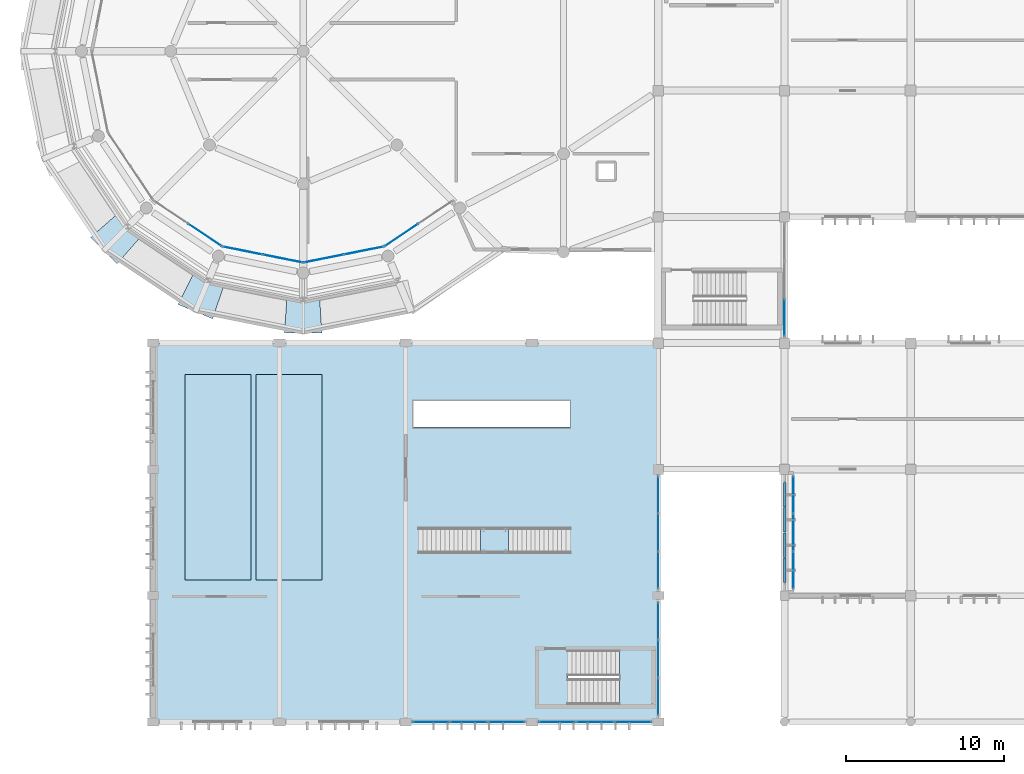
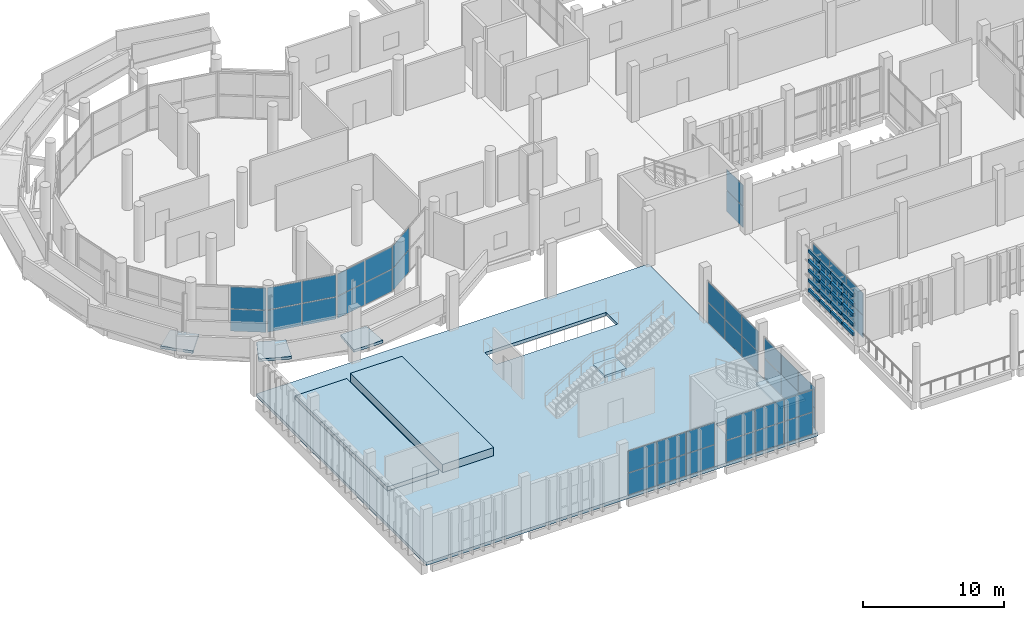
# One storey, part 69 of 106: 64 plates, 8 slabs, 13 elements without a shape of their own.
"""IFC4 building model written with IfcOpenShell, lengths in metres."""

from ifc_helpers import new_model, si_unit, direction, frame, origin, origin_2d, place, context, subcontext, project, spatial, polyline, rectangle, outline, extrude, material, layer, layer_set, type_object, element, aggregate, save


model = new_model("IFC4")

# Units and contexts
model_context = context("Model", 3, precision=1e-05, world=origin(), true_north=direction((0.0, 1.0)))
body_context = subcontext(model_context, "Body", "Model", "MODEL_VIEW")
ifc_project = project(units=[si_unit("LENGTHUNIT", "METRE"), si_unit("AREAUNIT", "SQUARE_METRE"), si_unit("VOLUMEUNIT", "CUBIC_METRE"), si_unit("PLANEANGLEUNIT", "RADIAN"), si_unit("MASSUNIT", "GRAM", prefix="KILO")], contexts=[model_context])

# Site, building, storey
site_placement = place(None, origin())
site = spatial("IfcSite", under=ifc_project, at=site_placement, CompositionType="ELEMENT")
building_placement = place(site_placement, origin())
building = spatial("IfcBuilding", under=site, at=building_placement, Name="Jelvoka-Kovrelna Polytechnic", CompositionType="ELEMENT")
storey_placement = place(building_placement, frame((0.0, 0.0, 4.800048828125)))
storey = spatial("IfcBuildingStorey", under=building, at=storey_placement, Name="L02", CompositionType="ELEMENT", Elevation=4.800048828125)

# Curtain wall, plates
ifc_material_1 = material(Name="Anodised aluminium 6063-T6", Category="aluminium")
ifc_layer_1 = layer(ifc_material_1, 0.159912109375)
ifc_layer_set_1 = layer_set([ifc_layer_1], Name="Anodised aluminium 6063-T6")
curtain_wall_type_1 = type_object("IfcCurtainWallType", Name="CW_Recessed_A", PredefinedType="NOTDEFINED", material=ifc_layer_set_1)
curtain_wall_1_placement = place(storey_placement, origin())
curtain_wall_1 = element("IfcCurtainWall", 1, at=curtain_wall_1_placement, inside=storey, type_object=curtain_wall_type_1, Name="L02 glazed curtain wall 002", PredefinedType="NOTDEFINED")
ifc_material_2 = material(Name="Solar-control double glazing", Category="glass")
ifc_layer_2 = layer(ifc_material_2, 0.028076171875)
ifc_layer_set_2 = layer_set([ifc_layer_2], Name="Solar-control double glazing")
plate_type_1 = type_object("IfcPlateType", Name="Panel_GP-01", PredefinedType="CURTAIN_PANEL", material=ifc_layer_set_2)
plate_1_placement = place(storey_placement, frame((56.56005859375, 9.614990234375, 0.052001953125), z_axis=(0.0, 0.0, 1.0), x_axis=(0.0, 1.0, 0.0)))
plate_1 = element("IfcPlate", 2, at=plate_1_placement, type_object=plate_type_1, Name="CW-01 panel 1.1", PredefinedType="CURTAIN_PANEL", context=body_context, shape_type="SweptSolid", body=[
    extrude(rectangle(XDim=2.326171875, YDim=0.028076171875, at=origin_2d()), origin(), (0.0, 0.0, 1.0), 1.901123046875),
])
plate_2_placement = place(storey_placement, frame((56.56005859375, 9.614990234375, 1.996826171875), z_axis=(0.0, 0.0, 1.0), x_axis=(0.0, 1.0, 0.0)))
plate_2 = element("IfcPlate", 3, at=plate_2_placement, type_object=plate_type_1, Name="CW-01 panel 1.2", PredefinedType="CURTAIN_PANEL", context=body_context, shape_type="SweptSolid", body=[
    extrude(rectangle(XDim=2.326171875, YDim=0.028076171875, at=origin_2d()), origin(), (0.0, 0.0, 1.0), 1.901123046875),
])
plate_3_placement = place(storey_placement, frame((56.56005859375, 12.0, 0.052001953125), z_axis=(0.0, 0.0, 1.0), x_axis=(0.0, 1.0, 0.0)))
plate_3 = element("IfcPlate", 4, at=plate_3_placement, type_object=plate_type_1, Name="CW-01 panel 2.1", PredefinedType="CURTAIN_PANEL", context=body_context, shape_type="SweptSolid", body=[
    extrude(rectangle(XDim=2.356201171875, YDim=0.028076171875, at=origin_2d()), origin(), (0.0, 0.0, 1.0), 1.901123046875),
])
plate_4_placement = place(storey_placement, frame((56.56005859375, 12.0, 1.996826171875), z_axis=(0.0, 0.0, 1.0), x_axis=(0.0, 1.0, 0.0)))
plate_4 = element("IfcPlate", 5, at=plate_4_placement, type_object=plate_type_1, Name="CW-01 panel 2.2", PredefinedType="CURTAIN_PANEL", context=body_context, shape_type="SweptSolid", body=[
    extrude(rectangle(XDim=2.356201171875, YDim=0.028076171875, at=origin_2d()), origin(), (0.0, 0.0, 1.0), 1.901123046875),
])
plate_5_placement = place(storey_placement, frame((56.56005859375, 14.385009765625, 0.052001953125), z_axis=(0.0, 0.0, 1.0), x_axis=(0.0, 1.0, 0.0)))
plate_5 = element("IfcPlate", 6, at=plate_5_placement, type_object=plate_type_1, Name="CW-01 panel 3.1", PredefinedType="CURTAIN_PANEL", context=body_context, shape_type="SweptSolid", body=[
    extrude(rectangle(XDim=2.326171875, YDim=0.028076171875, at=origin_2d()), origin(), (0.0, 0.0, 1.0), 1.901123046875),
])
plate_6_placement = place(storey_placement, frame((56.56005859375, 14.385009765625, 1.996826171875), z_axis=(0.0, 0.0, 1.0), x_axis=(0.0, 1.0, 0.0)))
plate_6 = element("IfcPlate", 7, at=plate_6_placement, type_object=plate_type_1, Name="CW-01 panel 3.2", PredefinedType="CURTAIN_PANEL", context=body_context, shape_type="SweptSolid", body=[
    extrude(rectangle(XDim=2.326171875, YDim=0.028076171875, at=origin_2d()), origin(), (0.0, 0.0, 1.0), 1.901123046875),
])
aggregate(curtain_wall_1, [plate_1, plate_2, plate_3, plate_4, plate_5, plate_6])

ifc_material_3 = material(Name="Anodised aluminium 6063-T6", Category="aluminium")
ifc_layer_3 = layer(ifc_material_3, 0.179931640625)
ifc_layer_set_3 = layer_set([ifc_layer_3], Name="Anodised aluminium 6063-T6")
curtain_wall_type_2 = type_object("IfcCurtainWallType", Name="CW_Pavilion", PredefinedType="NOTDEFINED", material=ifc_layer_set_3)
curtain_wall_2_placement = place(storey_placement, origin())
curtain_wall_2 = element("IfcCurtainWall", 8, at=curtain_wall_2_placement, inside=storey, type_object=curtain_wall_type_2, Name="L02 glazed curtain wall 118", PredefinedType="NOTDEFINED")
ifc_material_4 = material(Name="Solar-control double glazing", Category="glass")
ifc_layer_4 = layer(ifc_material_4, 0.030029296875)
ifc_layer_set_4 = layer_set([ifc_layer_4], Name="Solar-control double glazing")
plate_type_2 = type_object("IfcPlateType", Name="Panel_GP-05", PredefinedType="CURTAIN_PANEL", material=ifc_layer_set_4)
plate_7_placement = place(storey_placement, frame((56.0, 25.6162109375, 0.056884765625), z_axis=(0.0, 0.0, 1.0), x_axis=(0.0, -1.0, 0.0)))
plate_7 = element("IfcPlate", 9, at=plate_7_placement, type_object=plate_type_2, Name="CW-05 panel 3.1", PredefinedType="CURTAIN_PANEL", context=body_context, shape_type="SweptSolid", body=[
    extrude(rectangle(XDim=2.318603515625, YDim=0.030029296875, at=origin_2d()), origin(), (0.0, 0.0, 1.0), 1.798583984375),
])
plate_8_placement = place(storey_placement, frame((56.0, 25.6162109375, 1.904541015625), z_axis=(0.0, 0.0, 1.0), x_axis=(0.0, -1.0, 0.0)))
plate_8 = element("IfcPlate", 10, at=plate_8_placement, type_object=plate_type_2, Name="CW-05 panel 3.2", PredefinedType="CURTAIN_PANEL", context=body_context, shape_type="SweptSolid", body=[
    extrude(rectangle(XDim=2.318603515625, YDim=0.030029296875, at=origin_2d()), origin(), (0.0, 0.0, 1.0), 1.798583984375),
])
aggregate(curtain_wall_2, [plate_7, plate_8])

curtain_wall_3_placement = place(storey_placement, origin())
curtain_wall_3 = element("IfcCurtainWall", 11, at=curtain_wall_3_placement, inside=storey, type_object=curtain_wall_type_2, Name="L02 glazed curtain wall 229", PredefinedType="NOTDEFINED")
plate_9_placement = place(storey_placement, frame((19.271728515625, 30.855224609375, 0.056884765625), z_axis=(0.0, 0.0, 1.0), x_axis=(-0.83146132254, 0.555582639326, 0.0)))
plate_9 = element("IfcPlate", 12, at=plate_9_placement, type_object=plate_type_2, Name="CW-05 panel 1.1", PredefinedType="CURTAIN_PANEL", context=body_context, shape_type="SweptSolid", body=[
    extrude(rectangle(XDim=2.53271484375, YDim=0.030029296875, at=origin_2d()), origin(), (0.0, 0.0, 1.0), 1.8935546875),
])
plate_10_placement = place(storey_placement, frame((19.271728515625, 30.855224609375, 1.99951171875), z_axis=(0.0, 0.0, 1.0), x_axis=(-0.83146132254, 0.555582639326, 0.0)))
plate_10 = element("IfcPlate", 13, at=plate_10_placement, type_object=plate_type_2, Name="CW-05 panel 1.2", PredefinedType="CURTAIN_PANEL", context=body_context, shape_type="SweptSolid", body=[
    extrude(rectangle(XDim=2.53271484375, YDim=0.030029296875, at=origin_2d()), origin(), (0.0, 0.0, 1.0), 1.8935546875),
])
aggregate(curtain_wall_3, [plate_9, plate_10])

curtain_wall_4_placement = place(storey_placement, origin())
curtain_wall_4 = element("IfcCurtainWall", 14, at=curtain_wall_4_placement, inside=storey, type_object=curtain_wall_type_2, Name="L02 glazed curtain wall 230", PredefinedType="NOTDEFINED")
plate_11_placement = place(storey_placement, frame((24.2021484375, 29.358154296875, 0.056884765625), z_axis=(0.0, 0.0, 1.0), x_axis=(-0.980786108197, 0.195086160371, 0.0)))
plate_11 = element("IfcPlate", 15, at=plate_11_placement, type_object=plate_type_2, Name="CW-05 panel 1.1", PredefinedType="CURTAIN_PANEL", context=body_context, shape_type="SweptSolid", body=[
    extrude(rectangle(XDim=2.532958984375, YDim=0.030029296875, at=origin_2d()), origin(), (0.0, 0.0, 1.0), 1.8935546875),
])
plate_12_placement = place(storey_placement, frame((24.2021484375, 29.358154296875, 1.99951171875), z_axis=(0.0, 0.0, 1.0), x_axis=(-0.980786108197, 0.195086160371, 0.0)))
plate_12 = element("IfcPlate", 16, at=plate_12_placement, type_object=plate_type_2, Name="CW-05 panel 1.2", PredefinedType="CURTAIN_PANEL", context=body_context, shape_type="SweptSolid", body=[
    extrude(rectangle(XDim=2.532958984375, YDim=0.030029296875, at=origin_2d()), origin(), (0.0, 0.0, 1.0), 1.8935546875),
])
plate_13_placement = place(storey_placement, frame((21.669921875, 29.86181640625, 0.056884765625), z_axis=(0.0, 0.0, 1.0), x_axis=(-0.980786108197, 0.195086160371, 0.0)))
plate_13 = element("IfcPlate", 17, at=plate_13_placement, type_object=plate_type_2, Name="CW-05 panel 2.1", PredefinedType="CURTAIN_PANEL", context=body_context, shape_type="SweptSolid", body=[
    extrude(rectangle(XDim=2.532958984375, YDim=0.030029296875, at=origin_2d()), origin(), (0.0, 0.0, 1.0), 1.8935546875),
])
plate_14_placement = place(storey_placement, frame((21.669921875, 29.86181640625, 1.99951171875), z_axis=(0.0, 0.0, 1.0), x_axis=(-0.980786108197, 0.195086160371, 0.0)))
plate_14 = element("IfcPlate", 18, at=plate_14_placement, type_object=plate_type_2, Name="CW-05 panel 2.2", PredefinedType="CURTAIN_PANEL", context=body_context, shape_type="SweptSolid", body=[
    extrude(rectangle(XDim=2.532958984375, YDim=0.030029296875, at=origin_2d()), origin(), (0.0, 0.0, 1.0), 1.8935546875),
])
aggregate(curtain_wall_4, [plate_11, plate_12, plate_13, plate_14])

curtain_wall_5_placement = place(storey_placement, origin())
curtain_wall_5 = element("IfcCurtainWall", 19, at=curtain_wall_5_placement, inside=storey, type_object=curtain_wall_type_2, Name="L02 glazed curtain wall 231", PredefinedType="NOTDEFINED")
plate_15_placement = place(storey_placement, frame((29.330078125, 29.86181640625, 0.056884765625), z_axis=(0.0, 0.0, 1.0), x_axis=(-0.980786108197, -0.195086160371, 0.0)))
plate_15 = element("IfcPlate", 20, at=plate_15_placement, type_object=plate_type_2, Name="CW-05 panel 1.1", PredefinedType="CURTAIN_PANEL", context=body_context, shape_type="SweptSolid", body=[
    extrude(rectangle(XDim=2.532958984375, YDim=0.030029296875, at=origin_2d()), origin(), (0.0, 0.0, 1.0), 1.8935546875),
])
plate_16_placement = place(storey_placement, frame((29.330078125, 29.86181640625, 1.99951171875), z_axis=(0.0, 0.0, 1.0), x_axis=(-0.980786108197, -0.195086160371, 0.0)))
plate_16 = element("IfcPlate", 21, at=plate_16_placement, type_object=plate_type_2, Name="CW-05 panel 1.2", PredefinedType="CURTAIN_PANEL", context=body_context, shape_type="SweptSolid", body=[
    extrude(rectangle(XDim=2.532958984375, YDim=0.030029296875, at=origin_2d()), origin(), (0.0, 0.0, 1.0), 1.8935546875),
])
plate_17_placement = place(storey_placement, frame((26.7978515625, 29.358154296875, 0.056884765625), z_axis=(0.0, 0.0, 1.0), x_axis=(-0.980786108197, -0.195086160371, 0.0)))
plate_17 = element("IfcPlate", 22, at=plate_17_placement, type_object=plate_type_2, Name="CW-05 panel 2.1", PredefinedType="CURTAIN_PANEL", context=body_context, shape_type="SweptSolid", body=[
    extrude(rectangle(XDim=2.532958984375, YDim=0.030029296875, at=origin_2d()), origin(), (0.0, 0.0, 1.0), 1.8935546875),
])
plate_18_placement = place(storey_placement, frame((26.7978515625, 29.358154296875, 1.99951171875), z_axis=(0.0, 0.0, 1.0), x_axis=(-0.980786108197, -0.195086160371, 0.0)))
plate_18 = element("IfcPlate", 23, at=plate_18_placement, type_object=plate_type_2, Name="CW-05 panel 2.2", PredefinedType="CURTAIN_PANEL", context=body_context, shape_type="SweptSolid", body=[
    extrude(rectangle(XDim=2.532958984375, YDim=0.030029296875, at=origin_2d()), origin(), (0.0, 0.0, 1.0), 1.8935546875),
])
aggregate(curtain_wall_5, [plate_15, plate_16, plate_17, plate_18])

curtain_wall_6_placement = place(storey_placement, origin())
curtain_wall_6 = element("IfcCurtainWall", 24, at=curtain_wall_6_placement, inside=storey, type_object=curtain_wall_type_2, Name="L02 glazed curtain wall 232", PredefinedType="NOTDEFINED")
plate_19_placement = place(storey_placement, frame((31.728271484375, 30.855224609375, 0.056884765625), z_axis=(0.0, 0.0, 1.0), x_axis=(-0.83146132254, -0.555582639326, 0.0)))
plate_19 = element("IfcPlate", 25, at=plate_19_placement, type_object=plate_type_2, Name="CW-05 panel 2.1", PredefinedType="CURTAIN_PANEL", context=body_context, shape_type="SweptSolid", body=[
    extrude(rectangle(XDim=2.53271484375, YDim=0.030029296875, at=origin_2d()), origin(), (0.0, 0.0, 1.0), 1.8935546875),
])
plate_20_placement = place(storey_placement, frame((31.728271484375, 30.855224609375, 1.99951171875), z_axis=(0.0, 0.0, 1.0), x_axis=(-0.83146132254, -0.555582639326, 0.0)))
plate_20 = element("IfcPlate", 26, at=plate_20_placement, type_object=plate_type_2, Name="CW-05 panel 2.2", PredefinedType="CURTAIN_PANEL", context=body_context, shape_type="SweptSolid", body=[
    extrude(rectangle(XDim=2.53271484375, YDim=0.030029296875, at=origin_2d()), origin(), (0.0, 0.0, 1.0), 1.8935546875),
])
aggregate(curtain_wall_6, [plate_19, plate_20])

curtain_wall_7_placement = place(storey_placement, origin())
curtain_wall_7 = element("IfcCurtainWall", 27, at=curtain_wall_7_placement, inside=storey, type_object=curtain_wall_type_2, Name="L02 glazed curtain wall 275", PredefinedType="NOTDEFINED")
plate_21_placement = place(storey_placement, frame((38.3837890625, 0.0, 0.056884765625), z_axis=(0.0, 0.0, 1.0), x_axis=(-1.0, 0.0, 0.0)))
plate_21 = element("IfcPlate", 28, at=plate_21_placement, type_object=plate_type_2, Name="CW-05 panel 1.1", PredefinedType="CURTAIN_PANEL", context=body_context, shape_type="SweptSolid", body=[
    extrude(rectangle(XDim=2.318603515625, YDim=0.030029296875, at=origin_2d()), origin(), (0.0, 0.0, 1.0), 1.863525390625),
])
plate_22_placement = place(storey_placement, frame((38.3837890625, 0.0, 1.969482421875), z_axis=(0.0, 0.0, 1.0), x_axis=(-1.0, 0.0, 0.0)))
plate_22 = element("IfcPlate", 29, at=plate_22_placement, type_object=plate_type_2, Name="CW-05 panel 1.2", PredefinedType="CURTAIN_PANEL", context=body_context, shape_type="SweptSolid", body=[
    extrude(rectangle(XDim=2.318603515625, YDim=0.030029296875, at=origin_2d()), origin(), (0.0, 0.0, 1.0), 1.863525390625),
])
plate_23_placement = place(storey_placement, frame((36.0, 0.0, 0.056884765625), z_axis=(0.0, 0.0, 1.0), x_axis=(-1.0, 0.0, 0.0)))
plate_23 = element("IfcPlate", 30, at=plate_23_placement, type_object=plate_type_2, Name="CW-05 panel 2.1", PredefinedType="CURTAIN_PANEL", context=body_context, shape_type="SweptSolid", body=[
    extrude(rectangle(XDim=2.35107421875, YDim=0.030029296875, at=origin_2d()), origin(), (0.0, 0.0, 1.0), 1.863525390625),
])
plate_24_placement = place(storey_placement, frame((36.0, 0.0, 1.969482421875), z_axis=(0.0, 0.0, 1.0), x_axis=(-1.0, 0.0, 0.0)))
plate_24 = element("IfcPlate", 31, at=plate_24_placement, type_object=plate_type_2, Name="CW-05 panel 2.2", PredefinedType="CURTAIN_PANEL", context=body_context, shape_type="SweptSolid", body=[
    extrude(rectangle(XDim=2.35107421875, YDim=0.030029296875, at=origin_2d()), origin(), (0.0, 0.0, 1.0), 1.863525390625),
])
plate_25_placement = place(storey_placement, frame((33.6162109375, 0.0, 0.056884765625), z_axis=(0.0, 0.0, 1.0), x_axis=(-1.0, 0.0, 0.0)))
plate_25 = element("IfcPlate", 32, at=plate_25_placement, type_object=plate_type_2, Name="CW-05 panel 3.1", PredefinedType="CURTAIN_PANEL", context=body_context, shape_type="SweptSolid", body=[
    extrude(rectangle(XDim=2.318603515625, YDim=0.030029296875, at=origin_2d()), origin(), (0.0, 0.0, 1.0), 1.863525390625),
])
plate_26_placement = place(storey_placement, frame((33.6162109375, 0.0, 1.969482421875), z_axis=(0.0, 0.0, 1.0), x_axis=(-1.0, 0.0, 0.0)))
plate_26 = element("IfcPlate", 33, at=plate_26_placement, type_object=plate_type_2, Name="CW-05 panel 3.2", PredefinedType="CURTAIN_PANEL", context=body_context, shape_type="SweptSolid", body=[
    extrude(rectangle(XDim=2.318603515625, YDim=0.030029296875, at=origin_2d()), origin(), (0.0, 0.0, 1.0), 1.863525390625),
])
aggregate(curtain_wall_7, [plate_21, plate_22, plate_23, plate_24, plate_25, plate_26])

curtain_wall_8_placement = place(storey_placement, origin())
curtain_wall_8 = element("IfcCurtainWall", 34, at=curtain_wall_8_placement, inside=storey, type_object=curtain_wall_type_2, Name="L02 glazed curtain wall 276", PredefinedType="NOTDEFINED")
plate_27_placement = place(storey_placement, frame((46.3837890625, 0.0, 0.056884765625), z_axis=(0.0, 0.0, 1.0), x_axis=(-1.0, 0.0, 0.0)))
plate_27 = element("IfcPlate", 35, at=plate_27_placement, type_object=plate_type_2, Name="CW-05 panel 1.1", PredefinedType="CURTAIN_PANEL", context=body_context, shape_type="SweptSolid", body=[
    extrude(rectangle(XDim=2.318603515625, YDim=0.030029296875, at=origin_2d()), origin(), (0.0, 0.0, 1.0), 1.863525390625),
])
plate_28_placement = place(storey_placement, frame((46.3837890625, 0.0, 1.969482421875), z_axis=(0.0, 0.0, 1.0), x_axis=(-1.0, 0.0, 0.0)))
plate_28 = element("IfcPlate", 36, at=plate_28_placement, type_object=plate_type_2, Name="CW-05 panel 1.2", PredefinedType="CURTAIN_PANEL", context=body_context, shape_type="SweptSolid", body=[
    extrude(rectangle(XDim=2.318603515625, YDim=0.030029296875, at=origin_2d()), origin(), (0.0, 0.0, 1.0), 1.863525390625),
])
plate_29_placement = place(storey_placement, frame((44.0, 0.0, 0.056884765625), z_axis=(0.0, 0.0, 1.0), x_axis=(-1.0, 0.0, 0.0)))
plate_29 = element("IfcPlate", 37, at=plate_29_placement, type_object=plate_type_2, Name="CW-05 panel 2.1", PredefinedType="CURTAIN_PANEL", context=body_context, shape_type="SweptSolid", body=[
    extrude(rectangle(XDim=2.35107421875, YDim=0.030029296875, at=origin_2d()), origin(), (0.0, 0.0, 1.0), 1.863525390625),
])
plate_30_placement = place(storey_placement, frame((44.0, 0.0, 1.969482421875), z_axis=(0.0, 0.0, 1.0), x_axis=(-1.0, 0.0, 0.0)))
plate_30 = element("IfcPlate", 38, at=plate_30_placement, type_object=plate_type_2, Name="CW-05 panel 2.2", PredefinedType="CURTAIN_PANEL", context=body_context, shape_type="SweptSolid", body=[
    extrude(rectangle(XDim=2.35107421875, YDim=0.030029296875, at=origin_2d()), origin(), (0.0, 0.0, 1.0), 1.863525390625),
])
plate_31_placement = place(storey_placement, frame((41.6162109375, 0.0, 0.056884765625), z_axis=(0.0, 0.0, 1.0), x_axis=(-1.0, 0.0, 0.0)))
plate_31 = element("IfcPlate", 39, at=plate_31_placement, type_object=plate_type_2, Name="CW-05 panel 3.1", PredefinedType="CURTAIN_PANEL", context=body_context, shape_type="SweptSolid", body=[
    extrude(rectangle(XDim=2.318603515625, YDim=0.030029296875, at=origin_2d()), origin(), (0.0, 0.0, 1.0), 1.863525390625),
])
plate_32_placement = place(storey_placement, frame((41.6162109375, 0.0, 1.969482421875), z_axis=(0.0, 0.0, 1.0), x_axis=(-1.0, 0.0, 0.0)))
plate_32 = element("IfcPlate", 40, at=plate_32_placement, type_object=plate_type_2, Name="CW-05 panel 3.2", PredefinedType="CURTAIN_PANEL", context=body_context, shape_type="SweptSolid", body=[
    extrude(rectangle(XDim=2.318603515625, YDim=0.030029296875, at=origin_2d()), origin(), (0.0, 0.0, 1.0), 1.863525390625),
])
aggregate(curtain_wall_8, [plate_27, plate_28, plate_29, plate_30, plate_31, plate_32])

curtain_wall_9_placement = place(storey_placement, origin())
curtain_wall_9 = element("IfcCurtainWall", 41, at=curtain_wall_9_placement, inside=storey, type_object=curtain_wall_type_2, Name="L02 glazed curtain wall 277", PredefinedType="NOTDEFINED")
plate_33_placement = place(storey_placement, frame((48.0, 6.3837890625, 0.056884765625), z_axis=(0.0, 0.0, 1.0), x_axis=(0.0, -1.0, 0.0)))
plate_33 = element("IfcPlate", 42, at=plate_33_placement, type_object=plate_type_2, Name="CW-05 panel 1.1", PredefinedType="CURTAIN_PANEL", context=body_context, shape_type="SweptSolid", body=[
    extrude(rectangle(XDim=2.318603515625, YDim=0.030029296875, at=origin_2d()), origin(), (0.0, 0.0, 1.0), 1.74609375),
])
plate_34_placement = place(storey_placement, frame((48.0, 6.3837890625, 1.851806640625), z_axis=(0.0, 0.0, 1.0), x_axis=(0.0, -1.0, 0.0)))
plate_34 = element("IfcPlate", 43, at=plate_34_placement, type_object=plate_type_2, Name="CW-05 panel 1.2", PredefinedType="CURTAIN_PANEL", context=body_context, shape_type="SweptSolid", body=[
    extrude(rectangle(XDim=2.318603515625, YDim=0.030029296875, at=origin_2d()), origin(), (0.0, 0.0, 1.0), 1.74609375),
])
plate_35_placement = place(storey_placement, frame((48.0, 4.0, 0.056884765625), z_axis=(0.0, 0.0, 1.0), x_axis=(0.0, -1.0, 0.0)))
plate_35 = element("IfcPlate", 44, at=plate_35_placement, type_object=plate_type_2, Name="CW-05 panel 2.1", PredefinedType="CURTAIN_PANEL", context=body_context, shape_type="SweptSolid", body=[
    extrude(rectangle(XDim=2.35107421875, YDim=0.030029296875, at=origin_2d()), origin(), (0.0, 0.0, 1.0), 1.74609375),
])
plate_36_placement = place(storey_placement, frame((48.0, 4.0, 1.851806640625), z_axis=(0.0, 0.0, 1.0), x_axis=(0.0, -1.0, 0.0)))
plate_36 = element("IfcPlate", 45, at=plate_36_placement, type_object=plate_type_2, Name="CW-05 panel 2.2", PredefinedType="CURTAIN_PANEL", context=body_context, shape_type="SweptSolid", body=[
    extrude(rectangle(XDim=2.35107421875, YDim=0.030029296875, at=origin_2d()), origin(), (0.0, 0.0, 1.0), 1.74609375),
])
plate_37_placement = place(storey_placement, frame((48.0, 1.6162109375, 0.056884765625), z_axis=(0.0, 0.0, 1.0), x_axis=(0.0, -1.0, 0.0)))
plate_37 = element("IfcPlate", 46, at=plate_37_placement, type_object=plate_type_2, Name="CW-05 panel 3.1", PredefinedType="CURTAIN_PANEL", context=body_context, shape_type="SweptSolid", body=[
    extrude(rectangle(XDim=2.318603515625, YDim=0.030029296875, at=origin_2d()), origin(), (0.0, 0.0, 1.0), 1.74609375),
])
plate_38_placement = place(storey_placement, frame((48.0, 1.6162109375, 1.851806640625), z_axis=(0.0, 0.0, 1.0), x_axis=(0.0, -1.0, 0.0)))
plate_38 = element("IfcPlate", 47, at=plate_38_placement, type_object=plate_type_2, Name="CW-05 panel 3.2", PredefinedType="CURTAIN_PANEL", context=body_context, shape_type="SweptSolid", body=[
    extrude(rectangle(XDim=2.318603515625, YDim=0.030029296875, at=origin_2d()), origin(), (0.0, 0.0, 1.0), 1.74609375),
])
aggregate(curtain_wall_9, [plate_33, plate_34, plate_35, plate_36, plate_37, plate_38])

curtain_wall_10_placement = place(storey_placement, origin())
curtain_wall_10 = element("IfcCurtainWall", 48, at=curtain_wall_10_placement, inside=storey, type_object=curtain_wall_type_2, Name="L02 glazed curtain wall 278", PredefinedType="NOTDEFINED")
plate_39_placement = place(storey_placement, frame((48.0, 14.3837890625, 0.056884765625), z_axis=(0.0, 0.0, 1.0), x_axis=(0.0, -1.0, 0.0)))
plate_39 = element("IfcPlate", 49, at=plate_39_placement, type_object=plate_type_2, Name="CW-05 panel 1.1", PredefinedType="CURTAIN_PANEL", context=body_context, shape_type="SweptSolid", body=[
    extrude(rectangle(XDim=2.318603515625, YDim=0.030029296875, at=origin_2d()), origin(), (0.0, 0.0, 1.0), 1.74609375),
])
plate_40_placement = place(storey_placement, frame((48.0, 14.3837890625, 1.851806640625), z_axis=(0.0, 0.0, 1.0), x_axis=(0.0, -1.0, 0.0)))
plate_40 = element("IfcPlate", 50, at=plate_40_placement, type_object=plate_type_2, Name="CW-05 panel 1.2", PredefinedType="CURTAIN_PANEL", context=body_context, shape_type="SweptSolid", body=[
    extrude(rectangle(XDim=2.318603515625, YDim=0.030029296875, at=origin_2d()), origin(), (0.0, 0.0, 1.0), 1.74609375),
])
plate_41_placement = place(storey_placement, frame((48.0, 12.0, 0.056884765625), z_axis=(0.0, 0.0, 1.0), x_axis=(0.0, -1.0, 0.0)))
plate_41 = element("IfcPlate", 51, at=plate_41_placement, type_object=plate_type_2, Name="CW-05 panel 2.1", PredefinedType="CURTAIN_PANEL", context=body_context, shape_type="SweptSolid", body=[
    extrude(rectangle(XDim=2.35107421875, YDim=0.030029296875, at=origin_2d()), origin(), (0.0, 0.0, 1.0), 1.74609375),
])
plate_42_placement = place(storey_placement, frame((48.0, 12.0, 1.851806640625), z_axis=(0.0, 0.0, 1.0), x_axis=(0.0, -1.0, 0.0)))
plate_42 = element("IfcPlate", 52, at=plate_42_placement, type_object=plate_type_2, Name="CW-05 panel 2.2", PredefinedType="CURTAIN_PANEL", context=body_context, shape_type="SweptSolid", body=[
    extrude(rectangle(XDim=2.35107421875, YDim=0.030029296875, at=origin_2d()), origin(), (0.0, 0.0, 1.0), 1.74609375),
])
plate_43_placement = place(storey_placement, frame((48.0, 9.6162109375, 0.056884765625), z_axis=(0.0, 0.0, 1.0), x_axis=(0.0, -1.0, 0.0)))
plate_43 = element("IfcPlate", 53, at=plate_43_placement, type_object=plate_type_2, Name="CW-05 panel 3.1", PredefinedType="CURTAIN_PANEL", context=body_context, shape_type="SweptSolid", body=[
    extrude(rectangle(XDim=2.318603515625, YDim=0.030029296875, at=origin_2d()), origin(), (0.0, 0.0, 1.0), 1.74609375),
])
plate_44_placement = place(storey_placement, frame((48.0, 9.6162109375, 1.851806640625), z_axis=(0.0, 0.0, 1.0), x_axis=(0.0, -1.0, 0.0)))
plate_44 = element("IfcPlate", 54, at=plate_44_placement, type_object=plate_type_2, Name="CW-05 panel 3.2", PredefinedType="CURTAIN_PANEL", context=body_context, shape_type="SweptSolid", body=[
    extrude(rectangle(XDim=2.318603515625, YDim=0.030029296875, at=origin_2d()), origin(), (0.0, 0.0, 1.0), 1.74609375),
])
aggregate(curtain_wall_10, [plate_39, plate_40, plate_41, plate_42, plate_43, plate_44])

# Plates
ifc_material_5 = material(Name="Perforated fired terracotta block", Category="masonry")
ifc_layer_5 = layer(ifc_material_5, 0.169921875)
ifc_layer_set_5 = layer_set([ifc_layer_5], Name="Perforated fired terracotta block")
plate_type_3 = type_object("IfcPlateType", Name="Screen_Terracotta_TP04", PredefinedType="USERDEFINED", material=ifc_layer_set_5)
for number, where, z_axis, x_axis, name in (
    (55, (56.02001953125, 9.60009765625, 0.18994140625), (0.0, 0.0, 1.0), (0.0, 1.0, 0.0), "L02 perforated terracotta lattice band 0021"),
    (56, (56.02001953125, 9.60009765625, 1.0322265625), (0.0, 0.0, 1.0), (0.0, 1.0, 0.0), "L02 perforated terracotta lattice band 0022"),
    (57, (56.02001953125, 9.60009765625, 1.875), (0.0, 0.0, 1.0), (0.0, 1.0, 0.0), "L02 perforated terracotta lattice band 0023"),
    (58, (56.02001953125, 9.60009765625, 2.71728515625), (0.0, 0.0, 1.0), (0.0, 1.0, 0.0), "L02 perforated terracotta lattice band 0024"),
    (59, (56.02001953125, 9.60009765625, 3.56005859375), (0.0, 0.0, 1.0), (0.0, 1.0, 0.0), "L02 perforated terracotta lattice band 0025"),
    (60, (56.02001953125, 11.199951171875, 0.18994140625), (0.0, 0.0, 1.0), (0.0, 1.0, 0.0), "L02 perforated terracotta lattice band 0026"),
    (61, (56.02001953125, 11.199951171875, 1.0322265625), (0.0, 0.0, 1.0), (0.0, 1.0, 0.0), "L02 perforated terracotta lattice band 0027"),
    (62, (56.02001953125, 11.199951171875, 1.875), (0.0, 0.0, 1.0), (0.0, 1.0, 0.0), "L02 perforated terracotta lattice band 0028"),
    (63, (56.02001953125, 11.199951171875, 2.71728515625), (0.0, 0.0, 1.0), (0.0, 1.0, 0.0), "L02 perforated terracotta lattice band 0029"),
    (64, (56.02001953125, 11.199951171875, 3.56005859375), (0.0, 0.0, 1.0), (0.0, 1.0, 0.0), "L02 perforated terracotta lattice band 0030"),
    (65, (56.02001953125, 12.800048828125, 0.18994140625), (0.0, 0.0, 1.0), (0.0, 1.0, 0.0), "L02 perforated terracotta lattice band 0031"),
    (66, (56.02001953125, 12.800048828125, 1.0322265625), (0.0, 0.0, 1.0), (0.0, 1.0, 0.0), "L02 perforated terracotta lattice band 0032"),
    (67, (56.02001953125, 12.800048828125, 1.875), (0.0, 0.0, 1.0), (0.0, 1.0, 0.0), "L02 perforated terracotta lattice band 0033"),
    (68, (56.02001953125, 12.800048828125, 2.71728515625), (0.0, 0.0, 1.0), (0.0, 1.0, 0.0), "L02 perforated terracotta lattice band 0034"),
    (69, (56.02001953125, 12.800048828125, 3.56005859375), (0.0, 0.0, 1.0), (0.0, 1.0, 0.0), "L02 perforated terracotta lattice band 0035"),
    (70, (56.02001953125, 14.39990234375, 0.18994140625), (0.0, 0.0, 1.0), (0.0, 1.0, 0.0), "L02 perforated terracotta lattice band 0036"),
    (71, (56.02001953125, 14.39990234375, 1.0322265625), (0.0, 0.0, 1.0), (0.0, 1.0, 0.0), "L02 perforated terracotta lattice band 0037"),
    (72, (56.02001953125, 14.39990234375, 1.875), (0.0, 0.0, 1.0), (0.0, 1.0, 0.0), "L02 perforated terracotta lattice band 0038"),
    (73, (56.02001953125, 14.39990234375, 2.71728515625), (0.0, 0.0, 1.0), (0.0, 1.0, 0.0), "L02 perforated terracotta lattice band 0039"),
    (74, (56.02001953125, 14.39990234375, 3.56005859375), (0.0, 0.0, 1.0), (0.0, 1.0, 0.0), "L02 perforated terracotta lattice band 0040"),
):
    element("IfcPlate", number, at=place(storey_placement, frame(where, z_axis=z_axis, x_axis=x_axis)), inside=storey, type_object=plate_type_3, Name=name, ObjectType="SCREEN PANEL", PredefinedType="USERDEFINED", context=body_context, shape_type="SweptSolid", body=[
        extrude(rectangle(XDim=1.56005859375, YDim=0.169921875, at=origin_2d()), origin(), (0.0, 0.0, 1.0), 0.260009765625),
    ])

# Slab
ifc_material_6 = material(Name="Concrete C35/45", Category="concrete")
ifc_layer_6 = layer(ifc_material_6, 0.280029296875)
ifc_layer_set_6 = layer_set([ifc_layer_6], Name="Concrete C35/45")
slab_type_1 = type_object("IfcSlabType", Name="Slab_Floor_280", PredefinedType="FLOOR", material=ifc_layer_set_6)
slab_1_placement = place(storey_placement, frame((0.0, 0.0, -0.280029296875)))
element("IfcSlab", 75, at=slab_1_placement, inside=storey, type_object=slab_type_1, Name="L02 V4 structural slab", PredefinedType="FLOOR", context=body_context, shape_type="SweptSolid", body=[
    extrude(outline(polyline([(16.0, 0.0), (48.0, 0.0), (48.0, 24.0), (16.0, 24.0), (16.0, 0.0)]), holes=[polyline([(42.264892578125, 1.10009765625), (47.60009765625, 1.10009765625), (47.60009765625, 4.5400390625), (42.264892578125, 4.5400390625), (42.264892578125, 1.10009765625)]), polyline([(32.5, 18.675048828125), (42.425048828125, 18.675048828125), (42.425048828125, 20.324951171875), (32.5, 20.324951171875), (32.5, 18.675048828125)])]), origin(), (0.0, 0.0, 1.0), 0.280029296875),
])

# Ramp, slabs
ifc_material_7 = material(Name="Precast concrete C40/50", Category="concrete")
ramp_type = type_object("IfcRampType", Name="Ramp_Accessible_RC", PredefinedType="SPIRAL_RAMP", material=ifc_material_7)
ramp_placement = place(storey_placement, origin())
ramp = element("IfcRamp", 76, at=ramp_placement, inside=storey, type_object=ramp_type, Name="L02 spiral rotunda accessible ramp", PredefinedType="SPIRAL_RAMP")
ifc_material_8 = material(Name="Precast concrete C40/50", Category="concrete")
ifc_layer_7 = layer(ifc_material_8, 0.219970703125)
ifc_layer_set_7 = layer_set([ifc_layer_7], Name="Precast concrete C40/50")
slab_type_2 = type_object("IfcSlabType", Name="Slab_Ramp_Landing_220", PredefinedType="LANDING", material=ifc_layer_set_7)
slab_2_placement = place(storey_placement, frame((0.0, 0.0, 0.260009765625)))
slab_2 = element("IfcSlab", 77, at=slab_2_placement, type_object=slab_type_2, Name="L02 rotunda curved spiral ramp landing L1", PredefinedType="LANDING", context=body_context, shape_type="SweptSolid", body=[
    extrude(outline(polyline([(24.4541015625, 26.754638671875), (24.313720703125, 24.639404296875), (26.686279296875, 24.639404296875), (26.5458984375, 26.754638671875), (24.4541015625, 26.754638671875)])), origin(), (0.0, 0.0, 1.0), 0.219970703125),
])
slab_3_placement = place(storey_placement, frame((0.0, 0.0, 0.739990234375)))
slab_3 = element("IfcSlab", 78, at=slab_3_placement, type_object=slab_type_2, Name="L02 rotunda curved spiral ramp landing L2", PredefinedType="LANDING", context=body_context, shape_type="SweptSolid", body=[
    extrude(outline(polyline([(18.50830078125, 28.353515625), (17.569091796875, 26.452880859375), (19.760986328125, 25.544921875), (20.440673828125, 27.552978515625), (18.50830078125, 28.353515625)])), origin(), (0.0, 0.0, 1.0), 0.219970703125),
])
slab_4_placement = place(storey_placement, frame((0.0, 0.0, 1.219970703125)))
slab_4 = element("IfcSlab", 79, at=slab_4_placement, type_object=slab_type_2, Name="L02 rotunda curved spiral ramp landing L3", PredefinedType="LANDING", context=body_context, shape_type="SweptSolid", body=[
    extrude(outline(polyline([(13.626953125, 32.10595703125), (12.03173828125, 30.70947265625), (13.70947265625, 29.03173828125), (15.10595703125, 30.626953125), (13.626953125, 32.10595703125)])), origin(), (0.0, 0.0, 1.0), 0.219970703125),
])
aggregate(ramp, [slab_2, slab_3, slab_4])

# Slabs
ifc_material_9 = material(Name="Precast concrete C40/50", Category="concrete")
ifc_layer_8 = layer(ifc_material_9, 0.175048828125)
ifc_layer_set_8 = layer_set([ifc_layer_8], Name="Precast concrete C40/50")
slab_type_3 = type_object("IfcSlabType", Name="Slab_Seating_Tier_175", PredefinedType="USERDEFINED", material=ifc_layer_set_8)
slab_5_placement = place(storey_placement, origin())
element("IfcSlab", 80, at=slab_5_placement, inside=storey, type_object=slab_type_3, Name="L02 lecture theatre seating tier 1", ObjectType="SEATING TIER", PredefinedType="USERDEFINED", context=body_context, shape_type="SweptSolid", body=[
    extrude(outline(polyline([(18.0, 9.0), (22.199951171875, 9.0), (22.199951171875, 22.0), (18.0, 22.0), (18.0, 9.0)])), origin(), (0.0, 0.0, 1.0), 0.349853515625),
])
slab_6_placement = place(storey_placement, origin())
element("IfcSlab", 81, at=slab_6_placement, inside=storey, type_object=slab_type_3, Name="L02 lecture theatre seating tier 2", ObjectType="SEATING TIER", PredefinedType="USERDEFINED", context=body_context, shape_type="SweptSolid", body=[
    extrude(outline(polyline([(22.5, 9.0), (26.699951171875, 9.0), (26.699951171875, 22.0), (22.5, 22.0), (22.5, 9.0)])), origin(), (0.0, 0.0, 1.0), 0.699951171875),
])

# Stair, slab
ifc_material_10 = material(Name="Concrete C35/45", Category="concrete")
stair_type_1 = type_object("IfcStairType", Name="Stair_Dogleg_1620", PredefinedType="TWO_STRAIGHT_RUN_STAIR", material=ifc_material_10)
stair_1_placement = place(storey_placement, origin())
stair_1 = element("IfcStair", 82, at=stair_1_placement, inside=storey, type_object=stair_type_1, Name="L02 ST04", PredefinedType="TWO_STRAIGHT_RUN_STAIR")
ifc_material_11 = material(Name="Concrete C35/45", Category="concrete")
ifc_layer_9 = layer(ifc_material_11, 0.199951171875)
ifc_layer_set_9 = layer_set([ifc_layer_9], Name="Concrete C35/45")
slab_type_4 = type_object("IfcSlabType", Name="Slab_Stair_Landing_200", PredefinedType="LANDING", material=ifc_layer_set_9)
slab_7_placement = place(storey_placement, frame((0.0, 0.0, 2.199951171875)))
slab_7 = element("IfcSlab", 83, at=slab_7_placement, type_object=slab_type_4, Name="ST04 landing 1", PredefinedType="LANDING", context=body_context, shape_type="SweptSolid", body=[
    extrude(outline(polyline([(45.550048828125, 1.10009765625), (47.60009765625, 1.10009765625), (47.60009765625, 4.5400390625), (45.550048828125, 4.5400390625), (45.550048828125, 1.10009765625)])), origin(), (0.0, 0.0, 1.0), 0.199951171875),
])
aggregate(stair_1, [slab_7])

ifc_material_12 = material(Name="Concrete C35/45", Category="concrete")
stair_type_2 = type_object("IfcStairType", Name="Stair_Straight_1650", PredefinedType="STRAIGHT_RUN_STAIR", material=ifc_material_12)
stair_2_placement = place(storey_placement, origin())
stair_2 = element("IfcStair", 84, at=stair_2_placement, inside=storey, type_object=stair_type_2, Name="L02 straight feature stair ST15", PredefinedType="STRAIGHT_RUN_STAIR")
slab_8_placement = place(storey_placement, frame((0.0, 0.0, 2.199951171875)))
slab_8 = element("IfcSlab", 85, at=slab_8_placement, type_object=slab_type_4, Name="ST15 landing 1", PredefinedType="LANDING", context=body_context, shape_type="SweptSolid", body=[
    extrude(outline(polyline([(36.719970703125, 10.675048828125), (38.52001953125, 10.675048828125), (38.52001953125, 12.324951171875), (36.719970703125, 12.324951171875), (36.719970703125, 10.675048828125)])), origin(), (0.0, 0.0, 1.0), 0.199951171875),
])
aggregate(stair_2, [slab_8])

save(model, "model.ifc")
